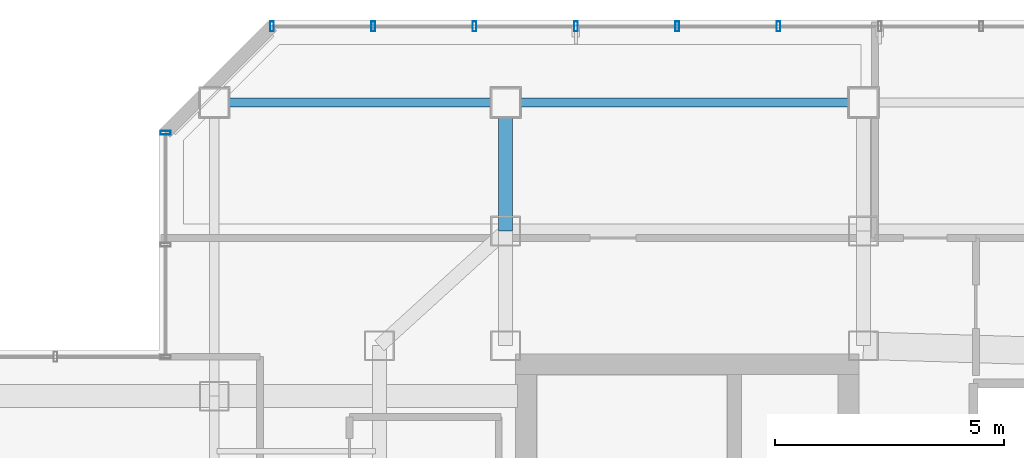
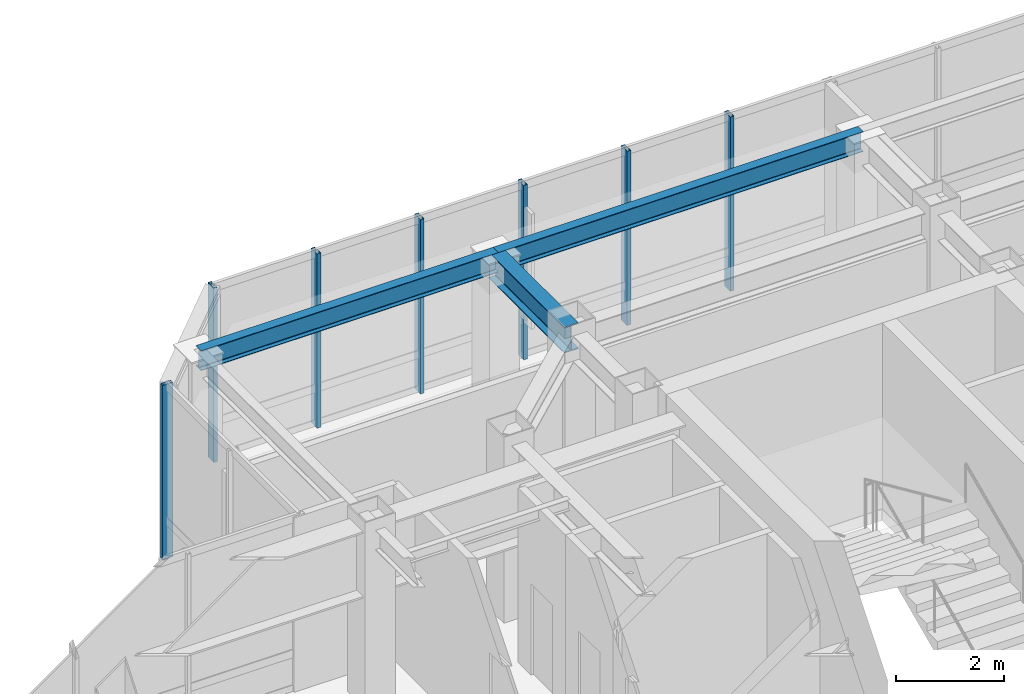
# One storey, part 13 of 22: 7 members, 3 beams, 2 elements without a shape of their own.
"""IFC4 building model written with IfcOpenShell, lengths in metres."""

from ifc_helpers import new_model, si_unit, direction, frame, origin, origin_2d, place, context, subcontext, project, spatial, hollow_rectangle, i_section, extrude, material, layer, layer_set, material_profile, profile_set, type_object, element, aggregate, save


model = new_model("IFC4")

# Units and contexts
model_context = context("Model", 3, precision=1e-05, world=origin(), true_north=direction((0.0, 1.0)))
body_context = subcontext(model_context, "Body", "Model", "MODEL_VIEW")
ifc_project = project(units=[si_unit("LENGTHUNIT", "METRE"), si_unit("AREAUNIT", "SQUARE_METRE"), si_unit("VOLUMEUNIT", "CUBIC_METRE"), si_unit("PLANEANGLEUNIT", "RADIAN"), si_unit("MASSUNIT", "GRAM", prefix="KILO")], contexts=[model_context])

# Site, building, storey
site_placement = place(None, origin())
site = spatial("IfcSite", under=ifc_project, at=site_placement, CompositionType="ELEMENT")
building_placement = place(site_placement, origin())
building = spatial("IfcBuilding", under=site, at=building_placement, Name="Hatsunagi Terrace Concourse", CompositionType="ELEMENT")
storey_placement = place(building_placement, frame((0.0, 0.0, 261.75)))
storey = spatial("IfcBuildingStorey", under=building, at=storey_placement, Name="L69", CompositionType="ELEMENT", Elevation=261.75)

# Curtain wall, member
ifc_material_1 = material(Name="Anodised Aluminium Alloy 6063-T5", Category="aluminium")
ifc_layer = layer(ifc_material_1, 0.199951171875)
ifc_layer_set = layer_set([ifc_layer], Name="SkyLobbyAtrium_CW05")
curtain_wall_type = type_object("IfcCurtainWallType", Name="SkyLobbyAtrium_CW05", PredefinedType="NOTDEFINED", material=ifc_layer_set)
curtain_wall_1_placement = place(storey_placement, origin())
curtain_wall_1 = element("IfcCurtainWall", 1, at=curtain_wall_1_placement, inside=storey, type_object=curtain_wall_type, Name="Unitised Curtain Wall CW-05 CW-L69-01", PredefinedType="NOTDEFINED")
ifc_material_2 = material(Name="Anodised Aluminium Alloy 6063-T5", Category="aluminium")
ifc_material_profile_1 = material_profile(ifc_material_2, hollow_rectangle(XDim=0.080078125, YDim=0.219970703125, WallThickness=0.0048828125, at=origin_2d()), Name="ALU-MUL-220x80x5")
ifc_profile_set_1 = profile_set([ifc_material_profile_1], Name="Anodised Aluminium Alloy 6063-T5")
member_type = type_object("IfcMemberType", Name="CurtainWallMullion_Heavy_220x80", PredefinedType="MULLION", material=ifc_profile_set_1)
member_1_placement = place(storey_placement, frame((18.139892578125, 47.94189453125, 0.0), z_axis=(0.0, 0.0, 1.0), x_axis=(0.0, 1.0, 0.0)))
member_1 = element("IfcMember", 2, at=member_1_placement, type_object=member_type, Name="Curtain Wall Mullion MUL-01", PredefinedType="MULLION", context=body_context, shape_type="SweptSolid", body=[
    extrude(hollow_rectangle(XDim=0.080078125, YDim=0.219970703125, WallThickness=0.0048828125, at=origin_2d()), origin(), (0.0, 0.0, 1.0), 3.93994140625),
])
aggregate(curtain_wall_1, [member_1])

# Curtain wall, members
curtain_wall_2_placement = place(storey_placement, origin())
curtain_wall_2 = element("IfcCurtainWall", 3, at=curtain_wall_2_placement, inside=storey, type_object=curtain_wall_type, Name="Unitised Curtain Wall CW-05 CW-L69-03", PredefinedType="NOTDEFINED")
member_2_placement = place(storey_placement, frame((20.4580078125, 50.260009765625, 0.0), z_axis=(0.0, 0.0, 1.0), x_axis=(1.0, 0.0, 0.0)))
member_2 = element("IfcMember", 4, at=member_2_placement, type_object=member_type, Name="Curtain Wall Mullion MUL-01", PredefinedType="MULLION", context=body_context, shape_type="SweptSolid", body=[
    extrude(hollow_rectangle(XDim=0.080078125, YDim=0.219970703125, WallThickness=0.0048828125, at=origin_2d()), origin(), (0.0, 0.0, 1.0), 3.93994140625),
])
member_3_placement = place(storey_placement, frame((22.666015625, 50.260009765625, 0.0), z_axis=(0.0, 0.0, 1.0), x_axis=(1.0, 0.0, 0.0)))
member_3 = element("IfcMember", 5, at=member_3_placement, type_object=member_type, Name="Curtain Wall Mullion MUL-01", PredefinedType="MULLION", context=body_context, shape_type="SweptSolid", body=[
    extrude(hollow_rectangle(XDim=0.080078125, YDim=0.219970703125, WallThickness=0.0048828125, at=origin_2d()), origin(), (0.0, 0.0, 1.0), 3.93994140625),
])
member_4_placement = place(storey_placement, frame((24.875, 50.260009765625, 0.0), z_axis=(0.0, 0.0, 1.0), x_axis=(1.0, 0.0, 0.0)))
member_4 = element("IfcMember", 6, at=member_4_placement, type_object=member_type, Name="Curtain Wall Mullion MUL-01", PredefinedType="MULLION", context=body_context, shape_type="SweptSolid", body=[
    extrude(hollow_rectangle(XDim=0.080078125, YDim=0.219970703125, WallThickness=0.0048828125, at=origin_2d()), origin(), (0.0, 0.0, 1.0), 3.93994140625),
])
member_5_placement = place(storey_placement, frame((27.0830078125, 50.260009765625, 0.0), z_axis=(0.0, 0.0, 1.0), x_axis=(1.0, 0.0, 0.0)))
member_5 = element("IfcMember", 7, at=member_5_placement, type_object=member_type, Name="Curtain Wall Mullion MUL-01", PredefinedType="MULLION", context=body_context, shape_type="SweptSolid", body=[
    extrude(hollow_rectangle(XDim=0.080078125, YDim=0.219970703125, WallThickness=0.0048828125, at=origin_2d()), origin(), (0.0, 0.0, 1.0), 3.93994140625),
])
member_6_placement = place(storey_placement, frame((29.2919921875, 50.260009765625, 0.0), z_axis=(0.0, 0.0, 1.0), x_axis=(1.0, 0.0, 0.0)))
member_6 = element("IfcMember", 8, at=member_6_placement, type_object=member_type, Name="Curtain Wall Mullion MUL-01", PredefinedType="MULLION", context=body_context, shape_type="SweptSolid", body=[
    extrude(hollow_rectangle(XDim=0.080078125, YDim=0.219970703125, WallThickness=0.0048828125, at=origin_2d()), origin(), (0.0, 0.0, 1.0), 3.93994140625),
])
member_7_placement = place(storey_placement, frame((31.5, 50.260009765625, 0.0), z_axis=(0.0, 0.0, 1.0), x_axis=(1.0, 0.0, 0.0)))
member_7 = element("IfcMember", 9, at=member_7_placement, type_object=member_type, Name="Curtain Wall Mullion MUL-01", PredefinedType="MULLION", context=body_context, shape_type="SweptSolid", body=[
    extrude(hollow_rectangle(XDim=0.080078125, YDim=0.219970703125, WallThickness=0.0048828125, at=origin_2d()), origin(), (0.0, 0.0, 1.0), 3.93994140625),
])
aggregate(curtain_wall_2, [member_2, member_3, member_4, member_5, member_6, member_7])

# Beams
ifc_material_3 = material(Name="Steel SN490B", Category="steel")
ifc_material_profile_2 = material_profile(ifc_material_3, i_section(OverallWidth=0.300048828125, OverallDepth=0.587890625, WebThickness=0.011962890625, FlangeThickness=0.02001953125, FilletRadius=0.01806640625, at=origin_2d()), Name="H-588x300x12x20")
ifc_profile_set_2 = profile_set([ifc_material_profile_2], Name="Steel SN490B")
beam_type_1 = type_object("IfcBeamType", Name="OfficeHighGirder_H_588x300", PredefinedType="BEAM", material=ifc_profile_set_2)
beam_1_placement = place(storey_placement, frame((25.550048828125, 45.800048828125, 3.656005859375), z_axis=(0.0, 1.0, 0.0), x_axis=(-1.0, 0.0, 0.0)))
element("IfcBeam", 10, at=beam_1_placement, inside=storey, type_object=beam_type_1, Name="Beam G-06 BM-L69-KN-WN4", PredefinedType="BEAM", context=body_context, shape_type="SweptSolid", body=[
    extrude(i_section(OverallWidth=0.300048828125, OverallDepth=0.587890625, WebThickness=0.011962890625, FlangeThickness=0.02001953125, FilletRadius=0.01806640625, at=origin_2d()), origin(), (0.0, 0.0, 1.0), 2.800048828125),
])
ifc_material_4 = material(Name="Steel SN490B", Category="steel")
ifc_material_profile_3 = material_profile(ifc_material_4, i_section(OverallWidth=0.199951171875, OverallDepth=0.449951171875, WebThickness=0.009033203125, FlangeThickness=0.013916015625, FilletRadius=0.01611328125, at=origin_2d()), Name="H-450x200x9x14")
ifc_profile_set_3 = profile_set([ifc_material_profile_3], Name="Steel SN490B")
beam_type_2 = type_object("IfcBeamType", Name="PerimeterSpandrel_H_450x200", PredefinedType="SPANDREL", material=ifc_profile_set_3)
beam_2_placement = place(storey_placement, frame((19.199951171875, 48.60009765625, 3.72509765625), z_axis=(1.0, 0.0, 0.0), x_axis=(0.0, 1.0, 0.0)))
element("IfcBeam", 11, at=beam_2_placement, inside=storey, type_object=beam_type_2, Name="Beam SP-02 BM-L69-WN-19", PredefinedType="SPANDREL", context=body_context, shape_type="SweptSolid", body=[
    extrude(i_section(OverallWidth=0.199951171875, OverallDepth=0.449951171875, WebThickness=0.009033203125, FlangeThickness=0.013916015625, FilletRadius=0.01611328125, at=origin_2d()), origin(), (0.0, 0.0, 1.0), 6.35009765625),
])
beam_3_placement = place(storey_placement, frame((25.550048828125, 48.60009765625, 3.72509765625), z_axis=(1.0, 0.0, 0.0), x_axis=(0.0, 1.0, 0.0)))
element("IfcBeam", 12, at=beam_3_placement, inside=storey, type_object=beam_type_2, Name="Beam SP-02 BM-L69-WN-25", PredefinedType="SPANDREL", context=body_context, shape_type="SweptSolid", body=[
    extrude(i_section(OverallWidth=0.199951171875, OverallDepth=0.449951171875, WebThickness=0.009033203125, FlangeThickness=0.013916015625, FilletRadius=0.01611328125, at=origin_2d()), origin(), (0.0, 0.0, 1.0), 7.800048828125),
])

save(model, "model.ifc")
